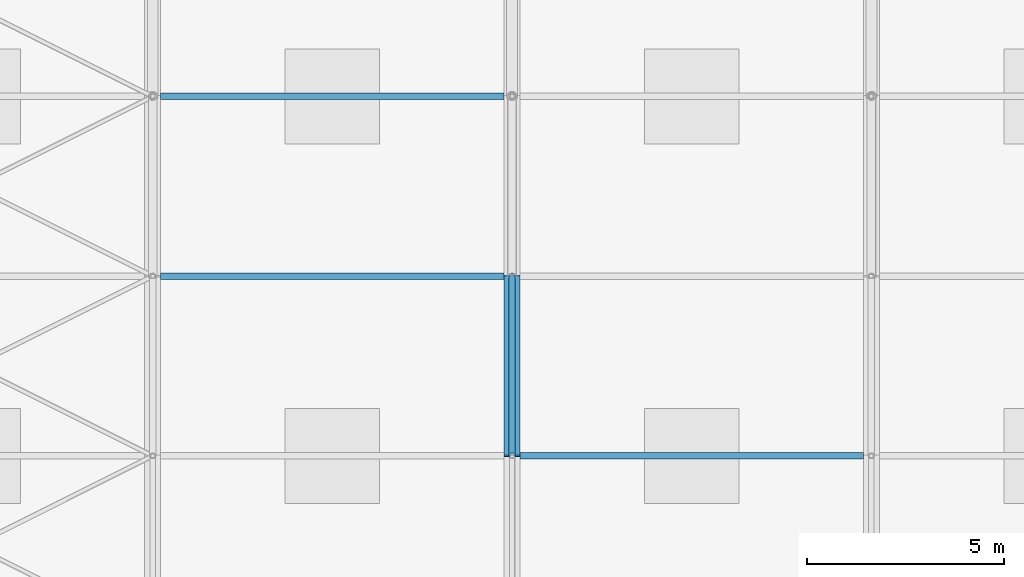
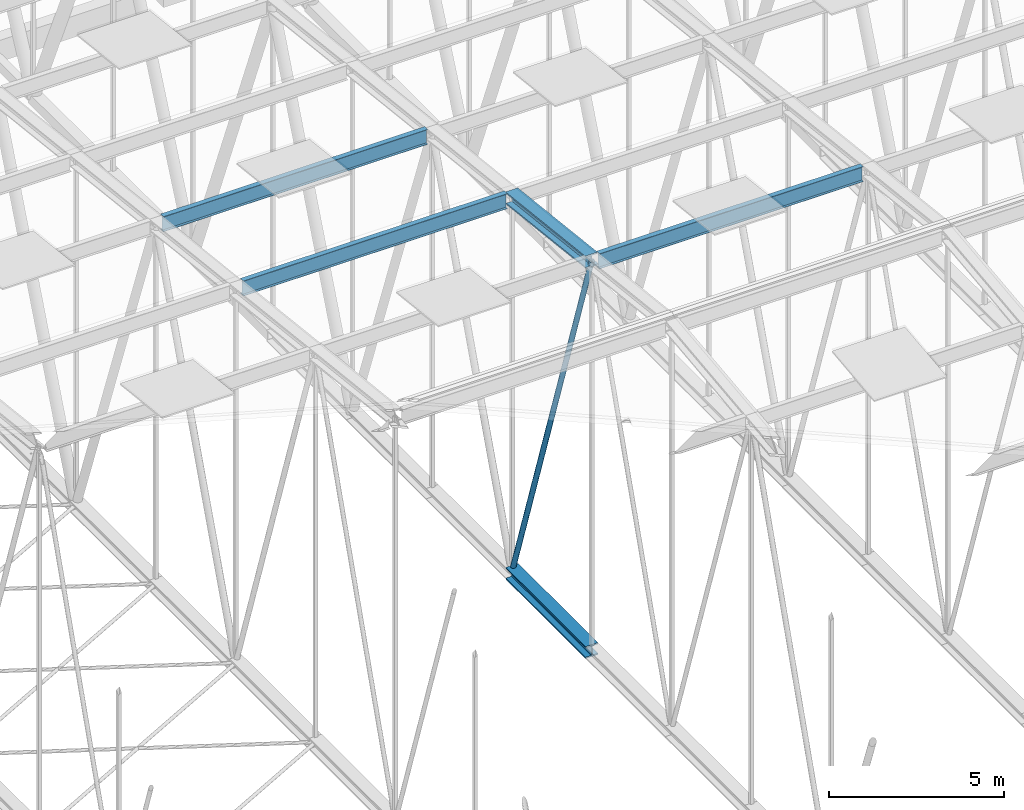
# One storey, part 255 of 500: 6 members.
"""IFC4 building model written with IfcOpenShell, lengths in metres."""

import ifcopenshell
import ifcopenshell.guid

model = None  # the IFC model being written
_history = None  # IfcOwnerHistory: only IFC2X3 demands one
_inside = {}  # id of a spatial element -> (the spatial element, [elements in it])
_under = {}  # id of a project, library or spatial element -> (it, [spatial elements below it])
_declared = {}  # id of a project -> (the project, [libraries it declares])
_typed = {}  # id of a type object -> (the type object, [elements of that type])
_made_of = {}  # id of a material, layer set ... -> (it, [elements and type objects made of it])


def new_model(schema):
    """Start an empty IFC model of exactly this schema.

    Asked for "IFC4X3", IfcOpenShell would pick the latest addendum, in which some entities
    have other attributes; the version numbers below select the first issue.
    IFC2X3 requires an IfcOwnerHistory on every rooted entity: one is made here for all.
    """
    global model, _history
    if schema == "IFC4X3":
        model = ifcopenshell.file(schema_version=(4, 3, 0, 0))
    else:
        model = ifcopenshell.file(schema=schema)
    _inside.clear()
    _under.clear()
    _declared.clear()
    _typed.clear()
    _made_of.clear()
    _history = None
    if model.schema == "IFC2X3":
        org = make("IfcOrganization", Name="unknown")
        user = make(
            "IfcPersonAndOrganization",
            ThePerson=make("IfcPerson", FamilyName="unknown"),
            TheOrganization=org,
        )
        app = make(
            "IfcApplication",
            ApplicationDeveloper=org,
            Version="unknown",
            ApplicationFullName="unknown",
            ApplicationIdentifier="unknown",
        )
        _history = make(
            "IfcOwnerHistory",
            OwningUser=user,
            OwningApplication=app,
            ChangeAction="ADDED",
            CreationDate=0,
        )
    return model


def make(cls, **values):
    """One entity of the class cls with the attributes given. An attribute that is None is left unset."""
    return model.create_entity(
        cls, **{name: value for name, value in values.items() if value is not None}
    )


def rooted(cls, **values):
    """An entity with a GlobalId (a new one), such as an element, a storey or a relation."""
    return make(cls, GlobalId=ifcopenshell.guid.new(), OwnerHistory=_history, **values)


def si_unit(unit_type, name, prefix=None):
    """IfcSIUnit, for example si_unit("LENGTHUNIT", "METRE", prefix="MILLI")."""
    return make("IfcSIUnit", UnitType=unit_type, Prefix=prefix, Name=name)


def assignment(units):
    """IfcUnitAssignment: the units of a project."""
    return None if units is None else make("IfcUnitAssignment", Units=units)


def point(xyz):
    """IfcCartesianPoint."""
    return None if xyz is None else make("IfcCartesianPoint", Coordinates=xyz)


def direction(xyz):
    """IfcDirection."""
    return None if xyz is None else make("IfcDirection", DirectionRatios=xyz)


def frame(location, z_axis=None, x_axis=None):
    """IfcAxis2Placement3D, a coordinate frame: its origin and axes. An axis left out is left unset."""
    return make(
        "IfcAxis2Placement3D",
        Location=point(location),
        Axis=direction(z_axis),
        RefDirection=direction(x_axis),
    )


def frame_2d(location, x_axis=None):
    """IfcAxis2Placement2D, a coordinate frame in the plane: its origin and x axis."""
    return make(
        "IfcAxis2Placement2D", Location=point(location), RefDirection=direction(x_axis)
    )


def origin():
    """The frame at (0, 0, 0) with its axes left unset."""
    return frame((0.0, 0.0, 0.0))


def origin_2d():
    """The frame at (0, 0) in the plane with its x axis left unset."""
    return frame_2d((0.0, 0.0))


def place(relative_to, where):
    """IfcLocalPlacement: puts the frame where relative to a parent placement (None: the world)."""
    return make(
        "IfcLocalPlacement", PlacementRelTo=relative_to, RelativePlacement=where
    )


def context(
    kind, dimensions, precision=None, world=None, true_north=None, identifier=None
):
    """IfcGeometricRepresentationContext, for example the 3D "Model" context."""
    return make(
        "IfcGeometricRepresentationContext",
        ContextIdentifier=identifier,
        ContextType=kind,
        CoordinateSpaceDimension=dimensions,
        Precision=precision,
        WorldCoordinateSystem=world,
        TrueNorth=true_north,
    )


def subcontext(parent, identifier, kind, view, scale=None):
    """IfcGeometricRepresentationSubContext, for example "Body" below "Model"."""
    return make(
        "IfcGeometricRepresentationSubContext",
        ContextIdentifier=identifier,
        ContextType=kind,
        ParentContext=parent,
        TargetScale=scale,
        TargetView=view,
    )


def project(units=None, contexts=None):
    """IfcProject with its units and contexts."""
    return rooted(
        "IfcProject",
        Name="project",
        RepresentationContexts=contexts,
        UnitsInContext=assignment(units),
    )


def spatial(cls, under=None, at=None, **own):
    """A site, building, storey or space (cls), placed at a placement, below another one or the project."""
    s = rooted(cls, ObjectPlacement=at, **own)
    if under is not None:
        _under.setdefault(under.id(), (under, []))[1].append(s)
    return s


def profile(cls, at=None, kind="AREA", **sizes):
    """A parametric profile (cls). Its sizes go by their IFC names, for example OverallWidth=200.0."""
    return make(cls, ProfileType=kind, Position=at, **sizes)


def hollow_circle(**sizes):
    """IfcCircleHollowProfileDef."""
    return profile("IfcCircleHollowProfileDef", **sizes)


def i_section(**sizes):
    """IfcIShapeProfileDef."""
    return profile("IfcIShapeProfileDef", **sizes)


def extrude(swept, where, along, depth):
    """IfcExtrudedAreaSolid: the profile swept, set in the frame where, extruded along a direction by depth."""
    return make(
        "IfcExtrudedAreaSolid",
        SweptArea=swept,
        Position=where,
        ExtrudedDirection=direction(along),
        Depth=depth,
    )


def shape(context_of_items, identifier, shape_type, items):
    """IfcShapeRepresentation: the items that make up one representation, for example the "Body"."""
    return make(
        "IfcShapeRepresentation",
        ContextOfItems=context_of_items,
        RepresentationIdentifier=identifier,
        RepresentationType=shape_type,
        Items=items,
    )


def material(Name=None, Category=None):
    """IfcMaterial."""
    return make("IfcMaterial", Name=Name, Category=Category)


def material_profile(
    of_material, cross_section, Name=None, Category=None, Priority=None
):
    """IfcMaterialProfile: a cross section and its material."""
    return make(
        "IfcMaterialProfile",
        Name=Name,
        Material=of_material,
        Profile=cross_section,
        Priority=Priority,
        Category=Category,
    )


def profile_set(profiles, Name=None, composite=None):
    """IfcMaterialProfileSet."""
    return make(
        "IfcMaterialProfileSet",
        Name=Name,
        MaterialProfiles=profiles,
        CompositeProfile=composite,
    )


def made_of(thing, what):
    """Note that an element or type object is made of a material, layer set ...; save() writes the relation."""
    if what is not None:
        _made_of.setdefault(what.id(), (what, []))[1].append(thing)
    return thing


def type_object(cls, material=None, **own):
    """A type object (cls), such as IfcWallType, which elements share."""
    return made_of(rooted(cls, **own), material)


def element(
    cls,
    number,
    at=None,
    inside=None,
    cuts=None,
    type_object=None,
    material=None,
    context=None,
    identifier="Body",
    shape_type=None,
    held_by="IfcProductDefinitionShape",
    body=None,
    shapes=None,
    **own,
):
    """One element of the class cls, such as IfcWall. Its Tag is "e" and its number.

    at: its placement. inside: the storey or other place that contains it. cuts: it is an
    opening in that element (IfcRelVoidsElement). A single representation is given by context,
    identifier, shape_type and body (its items); several are given by shapes. held_by: the class
    of the entity that holds the representations. save() writes the other relations.
    """
    e = rooted(cls, Tag="e%d" % number, ObjectPlacement=at, **own)
    if body is not None:
        shapes = [shape(context, identifier, shape_type, body)]
    if shapes is not None:
        e.Representation = make(held_by, Representations=shapes)
    if inside is not None:
        _inside.setdefault(inside.id(), (inside, []))[1].append(e)
    if cuts is not None:
        rooted(
            "IfcRelVoidsElement", RelatingBuildingElement=cuts, RelatedOpeningElement=e
        )
    if type_object is not None:
        _typed.setdefault(type_object.id(), (type_object, []))[1].append(e)
    return made_of(e, material)


def aggregate(whole, parts):
    """IfcRelAggregates: a whole, such as a stair, and the parts it consists of."""
    return rooted("IfcRelAggregates", RelatingObject=whole, RelatedObjects=parts)


def save(model, path):
    """Write the relations noted so far, then the file.

    IfcRelAggregates (storeys below a building ...), IfcRelContainedInSpatialStructure (elements
    in a storey), IfcRelDefinesByType, IfcRelAssociatesMaterial and IfcRelDeclares: one each for
    every whole, place, type object, material and project.
    """
    for whole, parts in _under.values():
        aggregate(whole, parts)
    for where, things in _inside.values():
        rooted(
            "IfcRelContainedInSpatialStructure",
            RelatedElements=things,
            RelatingStructure=where,
        )
    for kind, things in _typed.values():
        rooted("IfcRelDefinesByType", RelatedObjects=things, RelatingType=kind)
    for what, things in _made_of.values():
        rooted("IfcRelAssociatesMaterial", RelatedObjects=things, RelatingMaterial=what)
    for by, libraries in _declared.values():
        rooted("IfcRelDeclares", RelatingContext=by, RelatedDefinitions=libraries)
    model.write(path)


model = new_model("IFC4")

# Units and contexts
model_context = context("Model", 3, precision=1e-05, world=origin(), true_north=direction((0.0, 1.0)))
body_context = subcontext(model_context, "Body", "Model", "MODEL_VIEW")
ifc_project = project(units=[si_unit("LENGTHUNIT", "METRE"), si_unit("AREAUNIT", "SQUARE_METRE"), si_unit("VOLUMEUNIT", "CUBIC_METRE"), si_unit("PLANEANGLEUNIT", "RADIAN"), si_unit("MASSUNIT", "GRAM", prefix="KILO")], contexts=[model_context])

# Site, building, storey
site_placement = place(None, origin())
site = spatial("IfcSite", under=ifc_project, at=site_placement, CompositionType="ELEMENT")
building_placement = place(site_placement, origin())
building = spatial("IfcBuilding", under=site, at=building_placement, Name="Shirokan Park Arena", CompositionType="ELEMENT")
storey_placement = place(building_placement, frame((0.0, 0.0, 29.1201171875)))
storey = spatial("IfcBuildingStorey", under=building, at=storey_placement, Name="L06", CompositionType="ELEMENT", Elevation=29.1201171875)

# Members
ifc_material_1 = material(Name="Steel ASTM A992", Category="steel")
ifc_material_profile_1 = material_profile(ifc_material_1, i_section(OverallWidth=0.406005859375, OverallDepth=0.4169921875, WebThickness=0.030029296875, FlangeThickness=0.048095703125, at=origin_2d()), Name="W360X382")
ifc_profile_set_1 = profile_set([ifc_material_profile_1], Name="Steel ASTM A992")
member_type_1 = type_object("IfcMemberType", Name="Bottom chord W360X382", PredefinedType="CHORD", material=ifc_profile_set_1)
member_1_placement = place(storey_placement, frame((63.699951171875, 59.14990234375, 4.677001953125), z_axis=(0.0, 1.0, 0.0), x_axis=(-1.0, 0.0, 0.0)))
element("IfcMember", 1, at=member_1_placement, inside=storey, type_object=member_type_1, Name="Truss T08 bottom chord 16", PredefinedType="CHORD", context=body_context, shape_type="SweptSolid", body=[
    extrude(i_section(OverallWidth=0.406005859375, OverallDepth=0.4169921875, WebThickness=0.030029296875, FlangeThickness=0.048095703125, at=origin_2d()), origin(), (0.0, 0.0, 1.0), 4.550048828125),
])
ifc_material_profile_2 = material_profile(ifc_material_1, i_section(OverallWidth=0.166015625, OverallDepth=0.528076171875, WebThickness=0.009765625, FlangeThickness=0.013671875, at=origin_2d()), Name="W530X74")
ifc_profile_set_2 = profile_set([ifc_material_profile_2], Name="Steel ASTM A992")
member_type_2 = type_object("IfcMemberType", Name="Purlin W530X74", PredefinedType="PURLIN", material=ifc_profile_set_2)
member_2_placement = place(storey_placement, frame((63.903076171875, 59.14990234375, 18.205810546875), z_axis=(1.0, 0.0, 0.0), x_axis=(0.0, 1.0, 0.0)))
element("IfcMember", 2, at=member_2_placement, inside=storey, type_object=member_type_2, Name="Purlin 16 bay 8", PredefinedType="PURLIN", context=body_context, shape_type="SweptSolid", body=[
    extrude(i_section(OverallWidth=0.166015625, OverallDepth=0.528076171875, WebThickness=0.009765625, FlangeThickness=0.013671875, at=origin_2d()), origin(), (0.0, 0.0, 1.0), 8.69384765625),
])
member_3_placement = place(storey_placement, frame((54.802978515625, 63.699951171875, 17.685791015625), z_axis=(1.0, 0.0, 0.0), x_axis=(0.0, 1.0, 0.0)))
element("IfcMember", 3, at=member_3_placement, inside=storey, type_object=member_type_2, Name="Purlin 17 bay 7", PredefinedType="PURLIN", context=body_context, shape_type="SweptSolid", body=[
    extrude(i_section(OverallWidth=0.166015625, OverallDepth=0.528076171875, WebThickness=0.009765625, FlangeThickness=0.013671875, at=origin_2d()), origin(), (0.0, 0.0, 1.0), 8.694091796875),
])
member_4_placement = place(storey_placement, frame((54.800537109375, 68.25, 17.165771484375), z_axis=(1.0, 0.0, 0.0), x_axis=(0.0, 1.0, 0.0)))
element("IfcMember", 4, at=member_4_placement, inside=storey, type_object=member_type_2, Name="Purlin 18 bay 7", PredefinedType="PURLIN", context=body_context, shape_type="SweptSolid", body=[
    extrude(i_section(OverallWidth=0.166015625, OverallDepth=0.528076171875, WebThickness=0.009765625, FlangeThickness=0.013671875, at=origin_2d()), origin(), (0.0, 0.0, 1.0), 8.698974609375),
])
ifc_material_profile_3 = material_profile(ifc_material_1, i_section(OverallWidth=0.406005859375, OverallDepth=0.4169921875, WebThickness=0.030029296875, FlangeThickness=0.048095703125, at=origin_2d()), Name="W360X382")
ifc_profile_set_3 = profile_set([ifc_material_profile_3], Name="Steel ASTM A992")
member_type_3 = type_object("IfcMemberType", Name="Top chord W360X382", PredefinedType="CHORD", material=ifc_profile_set_3)
member_5_placement = place(storey_placement, frame((63.699951171875, 59.14990234375, 18.261474609375), z_axis=(0.0, 0.993532328996, -0.113549598152), x_axis=(-1.0, 0.0, 0.0)))
element("IfcMember", 5, at=member_5_placement, inside=storey, type_object=member_type_3, Name="Truss T08 top chord 16", PredefinedType="CHORD", context=body_context, shape_type="SweptSolid", body=[
    extrude(i_section(OverallWidth=0.406005859375, OverallDepth=0.4169921875, WebThickness=0.030029296875, FlangeThickness=0.048095703125, at=origin_2d()), origin(), (0.0, 0.0, 1.0), 4.57958984375),
])
ifc_material_2 = material(Name="Steel ASTM A500 Grade C", Category="steel")
ifc_material_profile_4 = material_profile(ifc_material_2, hollow_circle(Radius=0.083984375, WallThickness=0.009521484375, at=origin_2d()), Name="HSS168.3X9.5")
ifc_profile_set_4 = profile_set([ifc_material_profile_4], Name="Steel ASTM A500 Grade C")
member_type_4 = type_object("IfcMemberType", Name="Truss diagonal HSS168.3X9.5", PredefinedType="BRACE", material=ifc_profile_set_4)
member_6_placement = place(storey_placement, frame((63.699951171875, 59.14990234375, 18.261474609375), z_axis=(0.0, 0.317602683872, -0.948223884532), x_axis=(-1.0, 0.0, 0.0)))
element("IfcMember", 6, at=member_6_placement, inside=storey, type_object=member_type_4, Name="Truss T08 diagonal 16", PredefinedType="BRACE", context=body_context, shape_type="SweptSolid", body=[
    extrude(hollow_circle(Radius=0.083984375, WallThickness=0.009521484375, at=origin_2d()), origin(), (0.0, 0.0, 1.0), 14.326171875),
])

save(model, "model.ifc")
